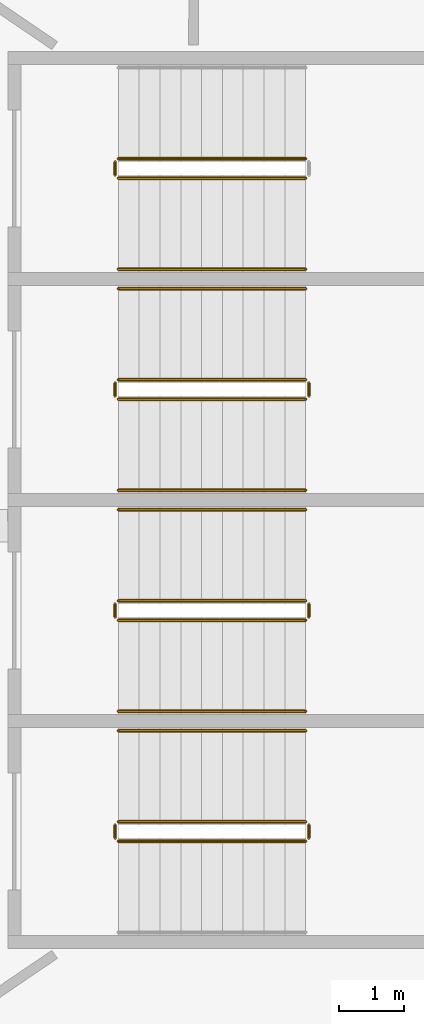
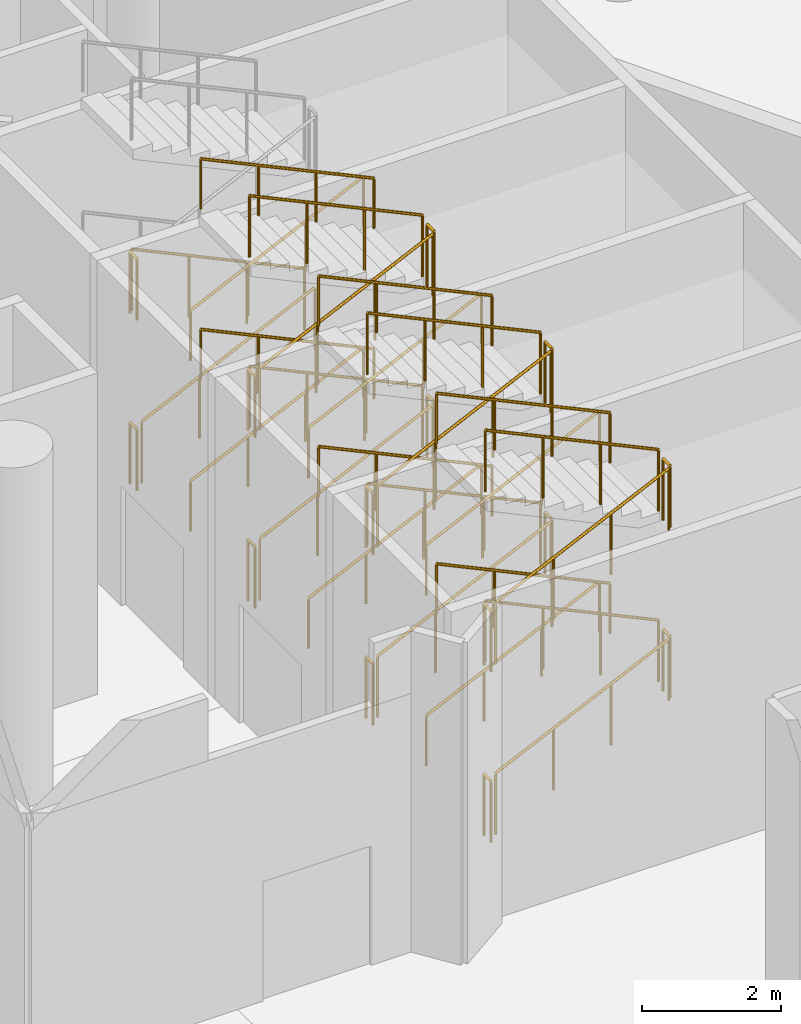
# One storey, part 241 of 249: 40 railings.
"""IFC4 building model written with IfcOpenShell, lengths in metres."""

from ifc_helpers import new_model, si_unit, direction, frame, origin, origin_2d, place, context, subcontext, project, spatial, circle, extrude, material, type_object, element, save


model = new_model("IFC4")

# Units and contexts
model_context = context("Model", 3, precision=1e-05, world=origin(), true_north=direction((0.0, 1.0)))
body_context = subcontext(model_context, "Body", "Model", "MODEL_VIEW")
ifc_project = project(units=[si_unit("LENGTHUNIT", "METRE"), si_unit("AREAUNIT", "SQUARE_METRE"), si_unit("VOLUMEUNIT", "CUBIC_METRE"), si_unit("PLANEANGLEUNIT", "RADIAN"), si_unit("MASSUNIT", "GRAM", prefix="KILO")], contexts=[model_context])

# Site, building, storey
site_placement = place(None, origin())
site = spatial("IfcSite", under=ifc_project, at=site_placement, CompositionType="ELEMENT")
building_placement = place(site_placement, origin())
building = spatial("IfcBuilding", under=site, at=building_placement, Name="Meseta Stadium", CompositionType="ELEMENT")
storey_placement = place(building_placement, frame((0.0, 0.0, 12.0)))
storey = spatial("IfcBuildingStorey", under=building, at=storey_placement, Name="L02", CompositionType="ELEMENT", Elevation=12.0)

# Railings
ifc_material_1 = material(Name="Steel S355", Category="steel")
railing_type_1 = type_object("IfcRailingType", Name="Stair guard 1100", PredefinedType="GUARDRAIL", material=ifc_material_1)
railing_1_placement = place(storey_placement, frame((90.300048828125, 13.5, 0.14990234375)))
element("IfcRailing", 1, at=railing_1_placement, inside=storey, type_object=railing_type_1, Name="ST13 L02 guard 1", PredefinedType="GUARDRAIL", context=body_context, shape_type="SweptSolid", body=[
    extrude(circle(Radius=0.02392578125, at=origin_2d()), frame((0.0, 0.0, 1.076171875), z_axis=(0.905440498372, 0.0, 0.424473207528), x_axis=(0.0, 1.0, 0.0)), (0.0, 0.0, 1.0), 3.1806640625),
    extrude(circle(Radius=0.02099609375, at=origin_2d()), origin(), (0.0, 0.0, 1.0), 1.052001953125),
    extrude(circle(Radius=0.02099609375, at=origin_2d()), frame((0.9599609375, 0.0, 0.449951171875)), (0.0, 0.0, 1.0), 1.052001953125),
    extrude(circle(Radius=0.02099609375, at=origin_2d()), frame((1.919921875, 0.0, 0.900146484375)), (0.0, 0.0, 1.0), 1.052001953125),
    extrude(circle(Radius=0.02099609375, at=origin_2d()), frame((2.8798828125, 0.0, 1.35009765625)), (0.0, 0.0, 1.0), 1.052001953125),
])
railing_2_placement = place(storey_placement, frame((93.22998046875, 13.550048828125, 1.5)))
element("IfcRailing", 2, at=railing_2_placement, inside=storey, type_object=railing_type_1, Name="ST13 L02 guard 2", PredefinedType="GUARDRAIL", context=body_context, shape_type="SweptSolid", body=[
    extrude(circle(Radius=0.02392578125, at=origin_2d()), frame((0.0, 0.0, 1.076171875), z_axis=(0.0, 1.0, 0.0), x_axis=(-1.0, 0.0, 0.0)), (0.0, 0.0, 1.0), 0.199951171875),
    extrude(circle(Radius=0.02099609375, at=origin_2d()), origin(), (0.0, 0.0, 1.0), 1.052001953125),
    extrude(circle(Radius=0.02099609375, at=origin_2d()), frame((0.0, 0.199951171875, 0.0)), (0.0, 0.0, 1.0), 1.052001953125),
])
railing_3_placement = place(storey_placement, frame((93.179931640625, 13.800048828125, 1.64990234375)))
element("IfcRailing", 3, at=railing_3_placement, inside=storey, type_object=railing_type_1, Name="ST13 L02 guard 3", PredefinedType="GUARDRAIL", context=body_context, shape_type="SweptSolid", body=[
    extrude(circle(Radius=0.02392578125, at=origin_2d()), frame((0.0, 0.0, 1.076171875), z_axis=(-0.905440498372, 0.0, 0.424473207528), x_axis=(0.0, -1.0, 0.0)), (0.0, 0.0, 1.0), 3.1806640625),
    extrude(circle(Radius=0.02099609375, at=origin_2d()), origin(), (0.0, 0.0, 1.0), 1.052001953125),
    extrude(circle(Radius=0.02099609375, at=origin_2d()), frame((-0.9599609375, 0.0, 0.449951171875)), (0.0, 0.0, 1.0), 1.052001953125),
    extrude(circle(Radius=0.02099609375, at=origin_2d()), frame((-1.919921875, 0.0, 0.900146484375)), (0.0, 0.0, 1.0), 1.052001953125),
    extrude(circle(Radius=0.02099609375, at=origin_2d()), frame((-2.8798828125, 0.0, 1.35009765625)), (0.0, 0.0, 1.0), 1.052001953125),
])
railing_4_placement = place(storey_placement, frame((90.25, 13.550048828125, 3.0)))
element("IfcRailing", 4, at=railing_4_placement, inside=storey, type_object=railing_type_1, Name="ST13 L02 guard 4", PredefinedType="GUARDRAIL", context=body_context, shape_type="SweptSolid", body=[
    extrude(circle(Radius=0.02392578125, at=origin_2d()), frame((0.0, 0.0, 1.076171875), z_axis=(0.0, 1.0, 0.0), x_axis=(-1.0, 0.0, 0.0)), (0.0, 0.0, 1.0), 0.199951171875),
    extrude(circle(Radius=0.02099609375, at=origin_2d()), origin(), (0.0, 0.0, 1.0), 1.052001953125),
    extrude(circle(Radius=0.02099609375, at=origin_2d()), frame((0.0, 0.199951171875, 0.0)), (0.0, 0.0, 1.0), 1.052001953125),
])
railing_5_placement = place(storey_placement, frame((90.300048828125, 13.5, 3.14990234375)))
element("IfcRailing", 5, at=railing_5_placement, inside=storey, type_object=railing_type_1, Name="ST13 L02 guard 5", PredefinedType="GUARDRAIL", context=body_context, shape_type="SweptSolid", body=[
    extrude(circle(Radius=0.02392578125, at=origin_2d()), frame((0.0, 0.0, 1.076171875), z_axis=(0.905440498372, 0.0, 0.424473207528), x_axis=(0.0, 1.0, 0.0)), (0.0, 0.0, 1.0), 3.1806640625),
    extrude(circle(Radius=0.02099609375, at=origin_2d()), origin(), (0.0, 0.0, 1.0), 1.052001953125),
    extrude(circle(Radius=0.02099609375, at=origin_2d()), frame((0.9599609375, 0.0, 0.449951171875)), (0.0, 0.0, 1.0), 1.052001953125),
    extrude(circle(Radius=0.02099609375, at=origin_2d()), frame((1.919921875, 0.0, 0.900146484375)), (0.0, 0.0, 1.0), 1.052001953125),
    extrude(circle(Radius=0.02099609375, at=origin_2d()), frame((2.8798828125, 0.0, 1.35009765625)), (0.0, 0.0, 1.0), 1.052001953125),
])
railing_6_placement = place(storey_placement, frame((93.22998046875, 13.550048828125, 4.5)))
element("IfcRailing", 6, at=railing_6_placement, inside=storey, type_object=railing_type_1, Name="ST13 L02 guard 6", PredefinedType="GUARDRAIL", context=body_context, shape_type="SweptSolid", body=[
    extrude(circle(Radius=0.02392578125, at=origin_2d()), frame((0.0, 0.0, 1.076171875), z_axis=(0.0, 1.0, 0.0), x_axis=(-1.0, 0.0, 0.0)), (0.0, 0.0, 1.0), 0.199951171875),
    extrude(circle(Radius=0.02099609375, at=origin_2d()), origin(), (0.0, 0.0, 1.0), 1.052001953125),
    extrude(circle(Radius=0.02099609375, at=origin_2d()), frame((0.0, 0.199951171875, 0.0)), (0.0, 0.0, 1.0), 1.052001953125),
])
railing_7_placement = place(storey_placement, frame((93.179931640625, 13.800048828125, 4.64990234375)))
element("IfcRailing", 7, at=railing_7_placement, inside=storey, type_object=railing_type_1, Name="ST13 L02 guard 7", PredefinedType="GUARDRAIL", context=body_context, shape_type="SweptSolid", body=[
    extrude(circle(Radius=0.02392578125, at=origin_2d()), frame((0.0, 0.0, 1.076171875), z_axis=(-0.905440498372, 0.0, 0.424473207528), x_axis=(0.0, -1.0, 0.0)), (0.0, 0.0, 1.0), 3.1806640625),
    extrude(circle(Radius=0.02099609375, at=origin_2d()), origin(), (0.0, 0.0, 1.0), 1.052001953125),
    extrude(circle(Radius=0.02099609375, at=origin_2d()), frame((-0.9599609375, 0.0, 0.449951171875)), (0.0, 0.0, 1.0), 1.052001953125),
    extrude(circle(Radius=0.02099609375, at=origin_2d()), frame((-1.919921875, 0.0, 0.900146484375)), (0.0, 0.0, 1.0), 1.052001953125),
    extrude(circle(Radius=0.02099609375, at=origin_2d()), frame((-2.8798828125, 0.0, 1.35009765625)), (0.0, 0.0, 1.0), 1.052001953125),
])
railing_8_placement = place(storey_placement, frame((90.25, 13.550048828125, 0.0)))
element("IfcRailing", 8, at=railing_8_placement, inside=storey, type_object=railing_type_1, Name="ST13 L02 guard 8", PredefinedType="GUARDRAIL", context=body_context, shape_type="SweptSolid", body=[
    extrude(circle(Radius=0.02392578125, at=origin_2d()), frame((0.0, 0.0, 1.076171875), z_axis=(0.0, 1.0, 0.0), x_axis=(-1.0, 0.0, 0.0)), (0.0, 0.0, 1.0), 0.199951171875),
    extrude(circle(Radius=0.02099609375, at=origin_2d()), origin(), (0.0, 0.0, 1.0), 1.052001953125),
    extrude(circle(Radius=0.02099609375, at=origin_2d()), frame((0.0, 0.199951171875, 0.0)), (0.0, 0.0, 1.0), 1.052001953125),
])
railing_9_placement = place(storey_placement, frame((90.300048828125, 16.89990234375, 0.14990234375)))
element("IfcRailing", 9, at=railing_9_placement, inside=storey, type_object=railing_type_1, Name="ST14 L02 guard 1", PredefinedType="GUARDRAIL", context=body_context, shape_type="SweptSolid", body=[
    extrude(circle(Radius=0.02392578125, at=origin_2d()), frame((0.0, 0.0, 1.076171875), z_axis=(0.905440498372, 0.0, 0.424473207528), x_axis=(0.0, 1.0, 0.0)), (0.0, 0.0, 1.0), 3.1806640625),
    extrude(circle(Radius=0.02099609375, at=origin_2d()), origin(), (0.0, 0.0, 1.0), 1.052001953125),
    extrude(circle(Radius=0.02099609375, at=origin_2d()), frame((0.9599609375, 0.0, 0.449951171875)), (0.0, 0.0, 1.0), 1.052001953125),
    extrude(circle(Radius=0.02099609375, at=origin_2d()), frame((1.919921875, 0.0, 0.900146484375)), (0.0, 0.0, 1.0), 1.052001953125),
    extrude(circle(Radius=0.02099609375, at=origin_2d()), frame((2.8798828125, 0.0, 1.35009765625)), (0.0, 0.0, 1.0), 1.052001953125),
])
railing_10_placement = place(storey_placement, frame((93.22998046875, 16.949951171875, 1.5)))
element("IfcRailing", 10, at=railing_10_placement, inside=storey, type_object=railing_type_1, Name="ST14 L02 guard 2", PredefinedType="GUARDRAIL", context=body_context, shape_type="SweptSolid", body=[
    extrude(circle(Radius=0.02392578125, at=origin_2d()), frame((0.0, 0.0, 1.076171875), z_axis=(0.0, 1.0, 0.0), x_axis=(-1.0, 0.0, 0.0)), (0.0, 0.0, 1.0), 0.199951171875),
    extrude(circle(Radius=0.02099609375, at=origin_2d()), origin(), (0.0, 0.0, 1.0), 1.052001953125),
    extrude(circle(Radius=0.02099609375, at=origin_2d()), frame((0.0, 0.199951171875, 0.0)), (0.0, 0.0, 1.0), 1.052001953125),
])
railing_11_placement = place(storey_placement, frame((93.179931640625, 17.199951171875, 1.64990234375)))
element("IfcRailing", 11, at=railing_11_placement, inside=storey, type_object=railing_type_1, Name="ST14 L02 guard 3", PredefinedType="GUARDRAIL", context=body_context, shape_type="SweptSolid", body=[
    extrude(circle(Radius=0.02392578125, at=origin_2d()), frame((0.0, 0.0, 1.076171875), z_axis=(-0.905440498372, 0.0, 0.424473207528), x_axis=(0.0, -1.0, 0.0)), (0.0, 0.0, 1.0), 3.1806640625),
    extrude(circle(Radius=0.02099609375, at=origin_2d()), origin(), (0.0, 0.0, 1.0), 1.052001953125),
    extrude(circle(Radius=0.02099609375, at=origin_2d()), frame((-0.9599609375, 0.0, 0.449951171875)), (0.0, 0.0, 1.0), 1.052001953125),
    extrude(circle(Radius=0.02099609375, at=origin_2d()), frame((-1.919921875, 0.0, 0.900146484375)), (0.0, 0.0, 1.0), 1.052001953125),
    extrude(circle(Radius=0.02099609375, at=origin_2d()), frame((-2.8798828125, 0.0, 1.35009765625)), (0.0, 0.0, 1.0), 1.052001953125),
])
railing_12_placement = place(storey_placement, frame((90.25, 16.949951171875, 3.0)))
element("IfcRailing", 12, at=railing_12_placement, inside=storey, type_object=railing_type_1, Name="ST14 L02 guard 4", PredefinedType="GUARDRAIL", context=body_context, shape_type="SweptSolid", body=[
    extrude(circle(Radius=0.02392578125, at=origin_2d()), frame((0.0, 0.0, 1.076171875), z_axis=(0.0, 1.0, 0.0), x_axis=(-1.0, 0.0, 0.0)), (0.0, 0.0, 1.0), 0.199951171875),
    extrude(circle(Radius=0.02099609375, at=origin_2d()), origin(), (0.0, 0.0, 1.0), 1.052001953125),
    extrude(circle(Radius=0.02099609375, at=origin_2d()), frame((0.0, 0.199951171875, 0.0)), (0.0, 0.0, 1.0), 1.052001953125),
])
railing_13_placement = place(storey_placement, frame((90.300048828125, 16.89990234375, 3.14990234375)))
element("IfcRailing", 13, at=railing_13_placement, inside=storey, type_object=railing_type_1, Name="ST14 L02 guard 5", PredefinedType="GUARDRAIL", context=body_context, shape_type="SweptSolid", body=[
    extrude(circle(Radius=0.02392578125, at=origin_2d()), frame((0.0, 0.0, 1.076171875), z_axis=(0.905440498372, 0.0, 0.424473207528), x_axis=(0.0, 1.0, 0.0)), (0.0, 0.0, 1.0), 3.1806640625),
    extrude(circle(Radius=0.02099609375, at=origin_2d()), origin(), (0.0, 0.0, 1.0), 1.052001953125),
    extrude(circle(Radius=0.02099609375, at=origin_2d()), frame((0.9599609375, 0.0, 0.449951171875)), (0.0, 0.0, 1.0), 1.052001953125),
    extrude(circle(Radius=0.02099609375, at=origin_2d()), frame((1.919921875, 0.0, 0.900146484375)), (0.0, 0.0, 1.0), 1.052001953125),
    extrude(circle(Radius=0.02099609375, at=origin_2d()), frame((2.8798828125, 0.0, 1.35009765625)), (0.0, 0.0, 1.0), 1.052001953125),
])
railing_14_placement = place(storey_placement, frame((93.22998046875, 16.949951171875, 4.5)))
element("IfcRailing", 14, at=railing_14_placement, inside=storey, type_object=railing_type_1, Name="ST14 L02 guard 6", PredefinedType="GUARDRAIL", context=body_context, shape_type="SweptSolid", body=[
    extrude(circle(Radius=0.02392578125, at=origin_2d()), frame((0.0, 0.0, 1.076171875), z_axis=(0.0, 1.0, 0.0), x_axis=(-1.0, 0.0, 0.0)), (0.0, 0.0, 1.0), 0.199951171875),
    extrude(circle(Radius=0.02099609375, at=origin_2d()), origin(), (0.0, 0.0, 1.0), 1.052001953125),
    extrude(circle(Radius=0.02099609375, at=origin_2d()), frame((0.0, 0.199951171875, 0.0)), (0.0, 0.0, 1.0), 1.052001953125),
])
railing_15_placement = place(storey_placement, frame((93.179931640625, 17.199951171875, 4.64990234375)))
element("IfcRailing", 15, at=railing_15_placement, inside=storey, type_object=railing_type_1, Name="ST14 L02 guard 7", PredefinedType="GUARDRAIL", context=body_context, shape_type="SweptSolid", body=[
    extrude(circle(Radius=0.02392578125, at=origin_2d()), frame((0.0, 0.0, 1.076171875), z_axis=(-0.905440498372, 0.0, 0.424473207528), x_axis=(0.0, -1.0, 0.0)), (0.0, 0.0, 1.0), 3.1806640625),
    extrude(circle(Radius=0.02099609375, at=origin_2d()), origin(), (0.0, 0.0, 1.0), 1.052001953125),
    extrude(circle(Radius=0.02099609375, at=origin_2d()), frame((-0.9599609375, 0.0, 0.449951171875)), (0.0, 0.0, 1.0), 1.052001953125),
    extrude(circle(Radius=0.02099609375, at=origin_2d()), frame((-1.919921875, 0.0, 0.900146484375)), (0.0, 0.0, 1.0), 1.052001953125),
    extrude(circle(Radius=0.02099609375, at=origin_2d()), frame((-2.8798828125, 0.0, 1.35009765625)), (0.0, 0.0, 1.0), 1.052001953125),
])
railing_16_placement = place(storey_placement, frame((90.25, 16.949951171875, 0.0)))
element("IfcRailing", 16, at=railing_16_placement, inside=storey, type_object=railing_type_1, Name="ST14 L02 guard 8", PredefinedType="GUARDRAIL", context=body_context, shape_type="SweptSolid", body=[
    extrude(circle(Radius=0.02392578125, at=origin_2d()), frame((0.0, 0.0, 1.076171875), z_axis=(0.0, 1.0, 0.0), x_axis=(-1.0, 0.0, 0.0)), (0.0, 0.0, 1.0), 0.199951171875),
    extrude(circle(Radius=0.02099609375, at=origin_2d()), origin(), (0.0, 0.0, 1.0), 1.052001953125),
    extrude(circle(Radius=0.02099609375, at=origin_2d()), frame((0.0, 0.199951171875, 0.0)), (0.0, 0.0, 1.0), 1.052001953125),
])
railing_17_placement = place(storey_placement, frame((90.300048828125, 20.300048828125, 0.14990234375)))
element("IfcRailing", 17, at=railing_17_placement, inside=storey, type_object=railing_type_1, Name="ST15 L02 guard 1", PredefinedType="GUARDRAIL", context=body_context, shape_type="SweptSolid", body=[
    extrude(circle(Radius=0.02392578125, at=origin_2d()), frame((0.0, 0.0, 1.076171875), z_axis=(0.905440498372, 0.0, 0.424473207528), x_axis=(0.0, 1.0, 0.0)), (0.0, 0.0, 1.0), 3.1806640625),
    extrude(circle(Radius=0.02099609375, at=origin_2d()), origin(), (0.0, 0.0, 1.0), 1.052001953125),
    extrude(circle(Radius=0.02099609375, at=origin_2d()), frame((0.9599609375, 0.0, 0.449951171875)), (0.0, 0.0, 1.0), 1.052001953125),
    extrude(circle(Radius=0.02099609375, at=origin_2d()), frame((1.919921875, 0.0, 0.900146484375)), (0.0, 0.0, 1.0), 1.052001953125),
    extrude(circle(Radius=0.02099609375, at=origin_2d()), frame((2.8798828125, 0.0, 1.35009765625)), (0.0, 0.0, 1.0), 1.052001953125),
])
railing_18_placement = place(storey_placement, frame((93.22998046875, 20.35009765625, 1.5)))
element("IfcRailing", 18, at=railing_18_placement, inside=storey, type_object=railing_type_1, Name="ST15 L02 guard 2", PredefinedType="GUARDRAIL", context=body_context, shape_type="SweptSolid", body=[
    extrude(circle(Radius=0.02392578125, at=origin_2d()), frame((0.0, 0.0, 1.076171875), z_axis=(0.0, 1.0, 0.0), x_axis=(-1.0, 0.0, 0.0)), (0.0, 0.0, 1.0), 0.199951171875),
    extrude(circle(Radius=0.02099609375, at=origin_2d()), origin(), (0.0, 0.0, 1.0), 1.052001953125),
    extrude(circle(Radius=0.02099609375, at=origin_2d()), frame((0.0, 0.199951171875, 0.0)), (0.0, 0.0, 1.0), 1.052001953125),
])
railing_19_placement = place(storey_placement, frame((93.179931640625, 20.60009765625, 1.64990234375)))
element("IfcRailing", 19, at=railing_19_placement, inside=storey, type_object=railing_type_1, Name="ST15 L02 guard 3", PredefinedType="GUARDRAIL", context=body_context, shape_type="SweptSolid", body=[
    extrude(circle(Radius=0.02392578125, at=origin_2d()), frame((0.0, 0.0, 1.076171875), z_axis=(-0.905440498372, 0.0, 0.424473207528), x_axis=(0.0, -1.0, 0.0)), (0.0, 0.0, 1.0), 3.1806640625),
    extrude(circle(Radius=0.02099609375, at=origin_2d()), origin(), (0.0, 0.0, 1.0), 1.052001953125),
    extrude(circle(Radius=0.02099609375, at=origin_2d()), frame((-0.9599609375, 0.0, 0.449951171875)), (0.0, 0.0, 1.0), 1.052001953125),
    extrude(circle(Radius=0.02099609375, at=origin_2d()), frame((-1.919921875, 0.0, 0.900146484375)), (0.0, 0.0, 1.0), 1.052001953125),
    extrude(circle(Radius=0.02099609375, at=origin_2d()), frame((-2.8798828125, 0.0, 1.35009765625)), (0.0, 0.0, 1.0), 1.052001953125),
])
railing_20_placement = place(storey_placement, frame((90.25, 20.35009765625, 3.0)))
element("IfcRailing", 20, at=railing_20_placement, inside=storey, type_object=railing_type_1, Name="ST15 L02 guard 4", PredefinedType="GUARDRAIL", context=body_context, shape_type="SweptSolid", body=[
    extrude(circle(Radius=0.02392578125, at=origin_2d()), frame((0.0, 0.0, 1.076171875), z_axis=(0.0, 1.0, 0.0), x_axis=(-1.0, 0.0, 0.0)), (0.0, 0.0, 1.0), 0.199951171875),
    extrude(circle(Radius=0.02099609375, at=origin_2d()), origin(), (0.0, 0.0, 1.0), 1.052001953125),
    extrude(circle(Radius=0.02099609375, at=origin_2d()), frame((0.0, 0.199951171875, 0.0)), (0.0, 0.0, 1.0), 1.052001953125),
])
railing_21_placement = place(storey_placement, frame((90.300048828125, 20.300048828125, 3.14990234375)))
element("IfcRailing", 21, at=railing_21_placement, inside=storey, type_object=railing_type_1, Name="ST15 L02 guard 5", PredefinedType="GUARDRAIL", context=body_context, shape_type="SweptSolid", body=[
    extrude(circle(Radius=0.02392578125, at=origin_2d()), frame((0.0, 0.0, 1.076171875), z_axis=(0.905440498372, 0.0, 0.424473207528), x_axis=(0.0, 1.0, 0.0)), (0.0, 0.0, 1.0), 3.1806640625),
    extrude(circle(Radius=0.02099609375, at=origin_2d()), origin(), (0.0, 0.0, 1.0), 1.052001953125),
    extrude(circle(Radius=0.02099609375, at=origin_2d()), frame((0.9599609375, 0.0, 0.449951171875)), (0.0, 0.0, 1.0), 1.052001953125),
    extrude(circle(Radius=0.02099609375, at=origin_2d()), frame((1.919921875, 0.0, 0.900146484375)), (0.0, 0.0, 1.0), 1.052001953125),
    extrude(circle(Radius=0.02099609375, at=origin_2d()), frame((2.8798828125, 0.0, 1.35009765625)), (0.0, 0.0, 1.0), 1.052001953125),
])
railing_22_placement = place(storey_placement, frame((93.22998046875, 20.35009765625, 4.5)))
element("IfcRailing", 22, at=railing_22_placement, inside=storey, type_object=railing_type_1, Name="ST15 L02 guard 6", PredefinedType="GUARDRAIL", context=body_context, shape_type="SweptSolid", body=[
    extrude(circle(Radius=0.02392578125, at=origin_2d()), frame((0.0, 0.0, 1.076171875), z_axis=(0.0, 1.0, 0.0), x_axis=(-1.0, 0.0, 0.0)), (0.0, 0.0, 1.0), 0.199951171875),
    extrude(circle(Radius=0.02099609375, at=origin_2d()), origin(), (0.0, 0.0, 1.0), 1.052001953125),
    extrude(circle(Radius=0.02099609375, at=origin_2d()), frame((0.0, 0.199951171875, 0.0)), (0.0, 0.0, 1.0), 1.052001953125),
])
railing_23_placement = place(storey_placement, frame((93.179931640625, 20.60009765625, 4.64990234375)))
element("IfcRailing", 23, at=railing_23_placement, inside=storey, type_object=railing_type_1, Name="ST15 L02 guard 7", PredefinedType="GUARDRAIL", context=body_context, shape_type="SweptSolid", body=[
    extrude(circle(Radius=0.02392578125, at=origin_2d()), frame((0.0, 0.0, 1.076171875), z_axis=(-0.905440498372, 0.0, 0.424473207528), x_axis=(0.0, -1.0, 0.0)), (0.0, 0.0, 1.0), 3.1806640625),
    extrude(circle(Radius=0.02099609375, at=origin_2d()), origin(), (0.0, 0.0, 1.0), 1.052001953125),
    extrude(circle(Radius=0.02099609375, at=origin_2d()), frame((-0.9599609375, 0.0, 0.449951171875)), (0.0, 0.0, 1.0), 1.052001953125),
    extrude(circle(Radius=0.02099609375, at=origin_2d()), frame((-1.919921875, 0.0, 0.900146484375)), (0.0, 0.0, 1.0), 1.052001953125),
    extrude(circle(Radius=0.02099609375, at=origin_2d()), frame((-2.8798828125, 0.0, 1.35009765625)), (0.0, 0.0, 1.0), 1.052001953125),
])
railing_24_placement = place(storey_placement, frame((90.25, 20.35009765625, 0.0)))
element("IfcRailing", 24, at=railing_24_placement, inside=storey, type_object=railing_type_1, Name="ST15 L02 guard 8", PredefinedType="GUARDRAIL", context=body_context, shape_type="SweptSolid", body=[
    extrude(circle(Radius=0.02392578125, at=origin_2d()), frame((0.0, 0.0, 1.076171875), z_axis=(0.0, 1.0, 0.0), x_axis=(-1.0, 0.0, 0.0)), (0.0, 0.0, 1.0), 0.199951171875),
    extrude(circle(Radius=0.02099609375, at=origin_2d()), origin(), (0.0, 0.0, 1.0), 1.052001953125),
    extrude(circle(Radius=0.02099609375, at=origin_2d()), frame((0.0, 0.199951171875, 0.0)), (0.0, 0.0, 1.0), 1.052001953125),
])
railing_25_placement = place(storey_placement, frame((90.300048828125, 23.699951171875, 0.14990234375)))
element("IfcRailing", 25, at=railing_25_placement, inside=storey, type_object=railing_type_1, Name="ST16 L02 guard 1", PredefinedType="GUARDRAIL", context=body_context, shape_type="SweptSolid", body=[
    extrude(circle(Radius=0.02392578125, at=origin_2d()), frame((0.0, 0.0, 1.076171875), z_axis=(0.905440498372, 0.0, 0.424473207528), x_axis=(0.0, 1.0, 0.0)), (0.0, 0.0, 1.0), 3.1806640625),
    extrude(circle(Radius=0.02099609375, at=origin_2d()), origin(), (0.0, 0.0, 1.0), 1.052001953125),
    extrude(circle(Radius=0.02099609375, at=origin_2d()), frame((0.9599609375, 0.0, 0.449951171875)), (0.0, 0.0, 1.0), 1.052001953125),
    extrude(circle(Radius=0.02099609375, at=origin_2d()), frame((1.919921875, 0.0, 0.900146484375)), (0.0, 0.0, 1.0), 1.052001953125),
    extrude(circle(Radius=0.02099609375, at=origin_2d()), frame((2.8798828125, 0.0, 1.35009765625)), (0.0, 0.0, 1.0), 1.052001953125),
])
railing_26_placement = place(storey_placement, frame((93.179931640625, 24.0, 1.64990234375)))
element("IfcRailing", 26, at=railing_26_placement, inside=storey, type_object=railing_type_1, Name="ST16 L02 guard 3", PredefinedType="GUARDRAIL", context=body_context, shape_type="SweptSolid", body=[
    extrude(circle(Radius=0.02392578125, at=origin_2d()), frame((0.0, 0.0, 1.076171875), z_axis=(-0.905440498372, 0.0, 0.424473207528), x_axis=(0.0, -1.0, 0.0)), (0.0, 0.0, 1.0), 3.1806640625),
    extrude(circle(Radius=0.02099609375, at=origin_2d()), origin(), (0.0, 0.0, 1.0), 1.052001953125),
    extrude(circle(Radius=0.02099609375, at=origin_2d()), frame((-0.9599609375, 0.0, 0.449951171875)), (0.0, 0.0, 1.0), 1.052001953125),
    extrude(circle(Radius=0.02099609375, at=origin_2d()), frame((-1.919921875, 0.0, 0.900146484375)), (0.0, 0.0, 1.0), 1.052001953125),
    extrude(circle(Radius=0.02099609375, at=origin_2d()), frame((-2.8798828125, 0.0, 1.35009765625)), (0.0, 0.0, 1.0), 1.052001953125),
])
for number, where, name in (
    (27, (90.25, 23.75, 3.0), "ST16 L02 guard 4"),
    (28, (90.25, 23.75, 0.0), "ST16 L02 guard 8"),
):
    element("IfcRailing", number, at=place(storey_placement, frame(where)), inside=storey, type_object=railing_type_1, Name=name, PredefinedType="GUARDRAIL", context=body_context, shape_type="SweptSolid", body=[
        extrude(circle(Radius=0.02392578125, at=origin_2d()), frame((0.0, 0.0, 1.076171875), z_axis=(0.0, 1.0, 0.0), x_axis=(-1.0, 0.0, 0.0)), (0.0, 0.0, 1.0), 0.199951171875),
        extrude(circle(Radius=0.02099609375, at=origin_2d()), origin(), (0.0, 0.0, 1.0), 1.052001953125),
        extrude(circle(Radius=0.02099609375, at=origin_2d()), frame((0.0, 0.199951171875, 0.0)), (0.0, 0.0, 1.0), 1.052001953125),
    ])
ifc_material_2 = material(Name="Steel S355", Category="steel")
railing_type_2 = type_object("IfcRailingType", Name="Stair handrail 900", PredefinedType="HANDRAIL", material=ifc_material_2)
for number, where, name in (
    (29, (93.179931640625, 15.199951171875, 1.64990234375), "ST13 L02 handrail 2"),
    (30, (93.179931640625, 15.199951171875, 4.64990234375), "ST13 L02 handrail 4"),
):
    element("IfcRailing", number, at=place(storey_placement, frame(where)), inside=storey, type_object=railing_type_2, Name=name, PredefinedType="HANDRAIL", context=body_context, shape_type="SweptSolid", body=[
        extrude(circle(Radius=0.02392578125, at=origin_2d()), frame((0.0, 0.0, 0.8759765625), z_axis=(-0.905440498372, 0.0, 0.424473207528), x_axis=(0.0, -1.0, 0.0)), (0.0, 0.0, 1.0), 3.1806640625),
        extrude(circle(Radius=0.02099609375, at=origin_2d()), origin(), (0.0, 0.0, 1.0), 0.851806640625),
        extrude(circle(Radius=0.02099609375, at=origin_2d()), frame((-0.9599609375, 0.0, 0.449951171875)), (0.0, 0.0, 1.0), 0.851806640625),
        extrude(circle(Radius=0.02099609375, at=origin_2d()), frame((-1.919921875, 0.0, 0.900146484375)), (0.0, 0.0, 1.0), 0.851806640625),
        extrude(circle(Radius=0.02099609375, at=origin_2d()), frame((-2.8798828125, 0.0, 1.35009765625)), (0.0, 0.0, 1.0), 0.851806640625),
    ])
railing_27_placement = place(storey_placement, frame((90.300048828125, 15.5, 0.14990234375)))
element("IfcRailing", 31, at=railing_27_placement, inside=storey, type_object=railing_type_2, Name="ST14 L02 handrail 1", PredefinedType="HANDRAIL", context=body_context, shape_type="SweptSolid", body=[
    extrude(circle(Radius=0.02392578125, at=origin_2d()), frame((0.0, 0.0, 0.8759765625), z_axis=(0.905440498372, 0.0, 0.424473207528), x_axis=(0.0, 1.0, 0.0)), (0.0, 0.0, 1.0), 3.1806640625),
    extrude(circle(Radius=0.02099609375, at=origin_2d()), origin(), (0.0, 0.0, 1.0), 0.851806640625),
    extrude(circle(Radius=0.02099609375, at=origin_2d()), frame((0.9599609375, 0.0, 0.449951171875)), (0.0, 0.0, 1.0), 0.851806640625),
    extrude(circle(Radius=0.02099609375, at=origin_2d()), frame((1.919921875, 0.0, 0.900146484375)), (0.0, 0.0, 1.0), 0.851806640625),
    extrude(circle(Radius=0.02099609375, at=origin_2d()), frame((2.8798828125, 0.0, 1.35009765625)), (0.0, 0.0, 1.0), 0.851806640625),
])
railing_28_placement = place(storey_placement, frame((93.179931640625, 18.60009765625, 1.64990234375)))
element("IfcRailing", 32, at=railing_28_placement, inside=storey, type_object=railing_type_2, Name="ST14 L02 handrail 2", PredefinedType="HANDRAIL", context=body_context, shape_type="SweptSolid", body=[
    extrude(circle(Radius=0.02392578125, at=origin_2d()), frame((0.0, 0.0, 0.8759765625), z_axis=(-0.905440498372, 0.0, 0.424473207528), x_axis=(0.0, -1.0, 0.0)), (0.0, 0.0, 1.0), 3.1806640625),
    extrude(circle(Radius=0.02099609375, at=origin_2d()), origin(), (0.0, 0.0, 1.0), 0.851806640625),
    extrude(circle(Radius=0.02099609375, at=origin_2d()), frame((-0.9599609375, 0.0, 0.449951171875)), (0.0, 0.0, 1.0), 0.851806640625),
    extrude(circle(Radius=0.02099609375, at=origin_2d()), frame((-1.919921875, 0.0, 0.900146484375)), (0.0, 0.0, 1.0), 0.851806640625),
    extrude(circle(Radius=0.02099609375, at=origin_2d()), frame((-2.8798828125, 0.0, 1.35009765625)), (0.0, 0.0, 1.0), 0.851806640625),
])
railing_29_placement = place(storey_placement, frame((90.300048828125, 15.5, 3.14990234375)))
element("IfcRailing", 33, at=railing_29_placement, inside=storey, type_object=railing_type_2, Name="ST14 L02 handrail 3", PredefinedType="HANDRAIL", context=body_context, shape_type="SweptSolid", body=[
    extrude(circle(Radius=0.02392578125, at=origin_2d()), frame((0.0, 0.0, 0.8759765625), z_axis=(0.905440498372, 0.0, 0.424473207528), x_axis=(0.0, 1.0, 0.0)), (0.0, 0.0, 1.0), 3.1806640625),
    extrude(circle(Radius=0.02099609375, at=origin_2d()), origin(), (0.0, 0.0, 1.0), 0.851806640625),
    extrude(circle(Radius=0.02099609375, at=origin_2d()), frame((0.9599609375, 0.0, 0.449951171875)), (0.0, 0.0, 1.0), 0.851806640625),
    extrude(circle(Radius=0.02099609375, at=origin_2d()), frame((1.919921875, 0.0, 0.900146484375)), (0.0, 0.0, 1.0), 0.851806640625),
    extrude(circle(Radius=0.02099609375, at=origin_2d()), frame((2.8798828125, 0.0, 1.35009765625)), (0.0, 0.0, 1.0), 0.851806640625),
])
railing_30_placement = place(storey_placement, frame((93.179931640625, 18.60009765625, 4.64990234375)))
element("IfcRailing", 34, at=railing_30_placement, inside=storey, type_object=railing_type_2, Name="ST14 L02 handrail 4", PredefinedType="HANDRAIL", context=body_context, shape_type="SweptSolid", body=[
    extrude(circle(Radius=0.02392578125, at=origin_2d()), frame((0.0, 0.0, 0.8759765625), z_axis=(-0.905440498372, 0.0, 0.424473207528), x_axis=(0.0, -1.0, 0.0)), (0.0, 0.0, 1.0), 3.1806640625),
    extrude(circle(Radius=0.02099609375, at=origin_2d()), origin(), (0.0, 0.0, 1.0), 0.851806640625),
    extrude(circle(Radius=0.02099609375, at=origin_2d()), frame((-0.9599609375, 0.0, 0.449951171875)), (0.0, 0.0, 1.0), 0.851806640625),
    extrude(circle(Radius=0.02099609375, at=origin_2d()), frame((-1.919921875, 0.0, 0.900146484375)), (0.0, 0.0, 1.0), 0.851806640625),
    extrude(circle(Radius=0.02099609375, at=origin_2d()), frame((-2.8798828125, 0.0, 1.35009765625)), (0.0, 0.0, 1.0), 0.851806640625),
])
railing_31_placement = place(storey_placement, frame((90.300048828125, 18.89990234375, 0.14990234375)))
element("IfcRailing", 35, at=railing_31_placement, inside=storey, type_object=railing_type_2, Name="ST15 L02 handrail 1", PredefinedType="HANDRAIL", context=body_context, shape_type="SweptSolid", body=[
    extrude(circle(Radius=0.02392578125, at=origin_2d()), frame((0.0, 0.0, 0.8759765625), z_axis=(0.905440498372, 0.0, 0.424473207528), x_axis=(0.0, 1.0, 0.0)), (0.0, 0.0, 1.0), 3.1806640625),
    extrude(circle(Radius=0.02099609375, at=origin_2d()), origin(), (0.0, 0.0, 1.0), 0.851806640625),
    extrude(circle(Radius=0.02099609375, at=origin_2d()), frame((0.9599609375, 0.0, 0.449951171875)), (0.0, 0.0, 1.0), 0.851806640625),
    extrude(circle(Radius=0.02099609375, at=origin_2d()), frame((1.919921875, 0.0, 0.900146484375)), (0.0, 0.0, 1.0), 0.851806640625),
    extrude(circle(Radius=0.02099609375, at=origin_2d()), frame((2.8798828125, 0.0, 1.35009765625)), (0.0, 0.0, 1.0), 0.851806640625),
])
railing_32_placement = place(storey_placement, frame((93.179931640625, 22.0, 1.64990234375)))
element("IfcRailing", 36, at=railing_32_placement, inside=storey, type_object=railing_type_2, Name="ST15 L02 handrail 2", PredefinedType="HANDRAIL", context=body_context, shape_type="SweptSolid", body=[
    extrude(circle(Radius=0.02392578125, at=origin_2d()), frame((0.0, 0.0, 0.8759765625), z_axis=(-0.905440498372, 0.0, 0.424473207528), x_axis=(0.0, -1.0, 0.0)), (0.0, 0.0, 1.0), 3.1806640625),
    extrude(circle(Radius=0.02099609375, at=origin_2d()), origin(), (0.0, 0.0, 1.0), 0.851806640625),
    extrude(circle(Radius=0.02099609375, at=origin_2d()), frame((-0.9599609375, 0.0, 0.449951171875)), (0.0, 0.0, 1.0), 0.851806640625),
    extrude(circle(Radius=0.02099609375, at=origin_2d()), frame((-1.919921875, 0.0, 0.900146484375)), (0.0, 0.0, 1.0), 0.851806640625),
    extrude(circle(Radius=0.02099609375, at=origin_2d()), frame((-2.8798828125, 0.0, 1.35009765625)), (0.0, 0.0, 1.0), 0.851806640625),
])
railing_33_placement = place(storey_placement, frame((90.300048828125, 18.89990234375, 3.14990234375)))
element("IfcRailing", 37, at=railing_33_placement, inside=storey, type_object=railing_type_2, Name="ST15 L02 handrail 3", PredefinedType="HANDRAIL", context=body_context, shape_type="SweptSolid", body=[
    extrude(circle(Radius=0.02392578125, at=origin_2d()), frame((0.0, 0.0, 0.8759765625), z_axis=(0.905440498372, 0.0, 0.424473207528), x_axis=(0.0, 1.0, 0.0)), (0.0, 0.0, 1.0), 3.1806640625),
    extrude(circle(Radius=0.02099609375, at=origin_2d()), origin(), (0.0, 0.0, 1.0), 0.851806640625),
    extrude(circle(Radius=0.02099609375, at=origin_2d()), frame((0.9599609375, 0.0, 0.449951171875)), (0.0, 0.0, 1.0), 0.851806640625),
    extrude(circle(Radius=0.02099609375, at=origin_2d()), frame((1.919921875, 0.0, 0.900146484375)), (0.0, 0.0, 1.0), 0.851806640625),
    extrude(circle(Radius=0.02099609375, at=origin_2d()), frame((2.8798828125, 0.0, 1.35009765625)), (0.0, 0.0, 1.0), 0.851806640625),
])
railing_34_placement = place(storey_placement, frame((93.179931640625, 22.0, 4.64990234375)))
element("IfcRailing", 38, at=railing_34_placement, inside=storey, type_object=railing_type_2, Name="ST15 L02 handrail 4", PredefinedType="HANDRAIL", context=body_context, shape_type="SweptSolid", body=[
    extrude(circle(Radius=0.02392578125, at=origin_2d()), frame((0.0, 0.0, 0.8759765625), z_axis=(-0.905440498372, 0.0, 0.424473207528), x_axis=(0.0, -1.0, 0.0)), (0.0, 0.0, 1.0), 3.1806640625),
    extrude(circle(Radius=0.02099609375, at=origin_2d()), origin(), (0.0, 0.0, 1.0), 0.851806640625),
    extrude(circle(Radius=0.02099609375, at=origin_2d()), frame((-0.9599609375, 0.0, 0.449951171875)), (0.0, 0.0, 1.0), 0.851806640625),
    extrude(circle(Radius=0.02099609375, at=origin_2d()), frame((-1.919921875, 0.0, 0.900146484375)), (0.0, 0.0, 1.0), 0.851806640625),
    extrude(circle(Radius=0.02099609375, at=origin_2d()), frame((-2.8798828125, 0.0, 1.35009765625)), (0.0, 0.0, 1.0), 0.851806640625),
])
for number, where, name in (
    (39, (90.300048828125, 22.300048828125, 0.14990234375), "ST16 L02 handrail 1"),
    (40, (90.300048828125, 22.300048828125, 3.14990234375), "ST16 L02 handrail 3"),
):
    element("IfcRailing", number, at=place(storey_placement, frame(where)), inside=storey, type_object=railing_type_2, Name=name, PredefinedType="HANDRAIL", context=body_context, shape_type="SweptSolid", body=[
        extrude(circle(Radius=0.02392578125, at=origin_2d()), frame((0.0, 0.0, 0.8759765625), z_axis=(0.905440498372, 0.0, 0.424473207528), x_axis=(0.0, 1.0, 0.0)), (0.0, 0.0, 1.0), 3.1806640625),
        extrude(circle(Radius=0.02099609375, at=origin_2d()), origin(), (0.0, 0.0, 1.0), 0.851806640625),
        extrude(circle(Radius=0.02099609375, at=origin_2d()), frame((0.9599609375, 0.0, 0.449951171875)), (0.0, 0.0, 1.0), 0.851806640625),
        extrude(circle(Radius=0.02099609375, at=origin_2d()), frame((1.919921875, 0.0, 0.900146484375)), (0.0, 0.0, 1.0), 0.851806640625),
        extrude(circle(Radius=0.02099609375, at=origin_2d()), frame((2.8798828125, 0.0, 1.35009765625)), (0.0, 0.0, 1.0), 0.851806640625),
    ])

save(model, "model.ifc")
